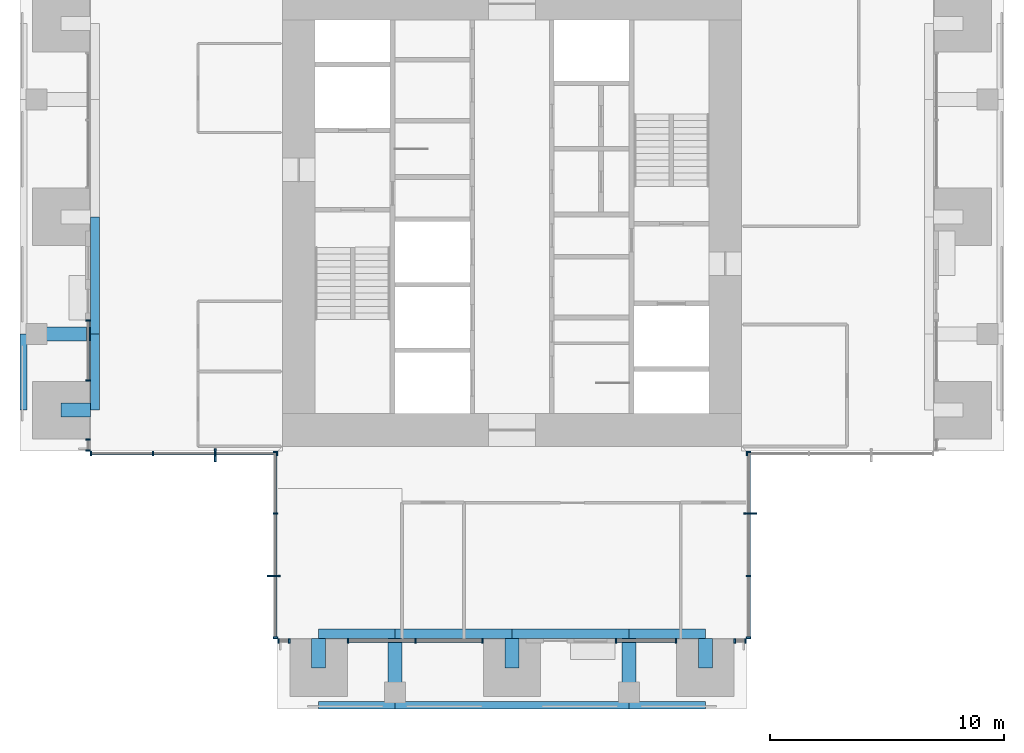
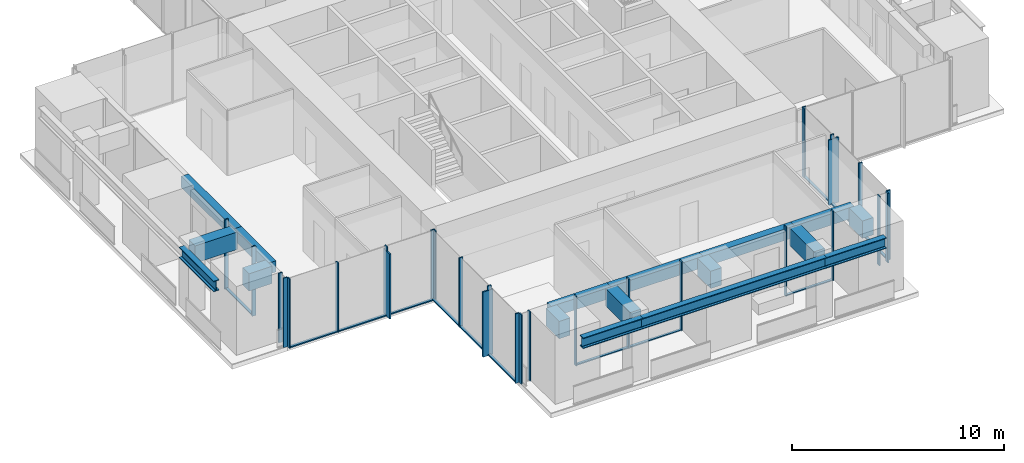
# One storey, part 2 of 17: 42 members, 17 beams, 10 elements without a shape of their own.
"""IFC4 building model written with IfcOpenShell, lengths in metres."""

from ifc_helpers import new_model, si_unit, direction, frame, origin, origin_2d, place, context, subcontext, project, spatial, rectangle, i_section, extrude, material, material_profile, profile_set, type_object, element, aggregate, save


model = new_model("IFC4")

# Units and contexts
model_context = context("Model", 3, precision=1e-05, world=origin(), true_north=direction((0.0, 1.0)))
body_context = subcontext(model_context, "Body", "Model", "MODEL_VIEW")
ifc_project = project(units=[si_unit("LENGTHUNIT", "METRE"), si_unit("AREAUNIT", "SQUARE_METRE"), si_unit("VOLUMEUNIT", "CUBIC_METRE"), si_unit("PLANEANGLEUNIT", "RADIAN"), si_unit("MASSUNIT", "GRAM", prefix="KILO")], contexts=[model_context])

# Site, building, storey
site_placement = place(None, origin())
site = spatial("IfcSite", under=ifc_project, at=site_placement, CompositionType="ELEMENT")
building_placement = place(site_placement, origin())
building = spatial("IfcBuilding", under=site, at=building_placement, Name="Svetlomir Tower", CompositionType="ELEMENT")
storey_placement = place(building_placement, frame((0.0, 0.0, 218.5)))
storey = spatial("IfcBuildingStorey", under=building, at=storey_placement, Name="L52", CompositionType="ELEMENT", Elevation=218.5)

# Curtain wall, member
ifc_material_1 = material(Name="Bronze anodised aluminium curtain wall", Category="aluminium")
curtain_wall_type = type_object("IfcCurtainWallType", Name="CURTAIN WALL CW1 TOWER OFFICE", PredefinedType="NOTDEFINED", material=ifc_material_1)
curtain_wall_1_placement = place(storey_placement, origin())
curtain_wall_1 = element("IfcCurtainWall", 1, at=curtain_wall_1_placement, inside=storey, type_object=curtain_wall_type, Name="Curtain wall CW1 L52", PredefinedType="NOTDEFINED")
ifc_material_2 = material(Name="Bronze anodised aluminium", Category="aluminium")
ifc_material_profile_1 = material_profile(ifc_material_2, rectangle(XDim=0.080078125, YDim=0.550048828125, at=origin_2d()), Name="FIN 80x550")
ifc_profile_set_1 = profile_set([ifc_material_profile_1], Name="Bronze anodised aluminium 6063-T6")
member_type_1 = type_object("IfcMemberType", Name="BRONZE FIN 80x550", PredefinedType="USERDEFINED", material=ifc_profile_set_1)
member_1_placement = place(storey_placement, frame((31.175048828125, 8.333251953125, 0.0), z_axis=(0.0, 0.0, 1.0), x_axis=(0.0, 1.0, 0.0)))
member_1 = element("IfcMember", 2, at=member_1_placement, type_object=member_type_1, Name="Bronze fin L52", ObjectType="FIN", PredefinedType="USERDEFINED", context=body_context, shape_type="SweptSolid", body=[
    extrude(rectangle(XDim=0.080078125, YDim=0.550048828125, at=origin_2d()), origin(), (0.0, 0.0, 1.0), 3.75),
])

curtain_wall_2_placement = place(storey_placement, origin())
curtain_wall_2 = element("IfcCurtainWall", 3, at=curtain_wall_2_placement, inside=storey, type_object=curtain_wall_type, Name="Curtain wall CW1 L52", PredefinedType="NOTDEFINED")
member_2_placement = place(storey_placement, frame((8.333251953125, 10.824951171875, 0.0), z_axis=(0.0, 0.0, 1.0), x_axis=(1.0, 0.0, 0.0)))
member_2 = element("IfcMember", 4, at=member_2_placement, type_object=member_type_1, Name="Bronze fin L52", ObjectType="FIN", PredefinedType="USERDEFINED", context=body_context, shape_type="SweptSolid", body=[
    extrude(rectangle(XDim=0.080078125, YDim=0.550048828125, at=origin_2d()), origin(), (0.0, 0.0, 1.0), 3.75),
])

curtain_wall_3_placement = place(storey_placement, origin())
curtain_wall_3 = element("IfcCurtainWall", 5, at=curtain_wall_3_placement, inside=storey, type_object=curtain_wall_type, Name="Curtain wall CW1 L52", PredefinedType="NOTDEFINED")
member_3_placement = place(storey_placement, frame((10.824951171875, 5.666748046875, 0.0), z_axis=(0.0, 0.0, 1.0), x_axis=(0.0, 1.0, 0.0)))
member_3 = element("IfcMember", 6, at=member_3_placement, type_object=member_type_1, Name="Bronze fin L52", ObjectType="FIN", PredefinedType="USERDEFINED", context=body_context, shape_type="SweptSolid", body=[
    extrude(rectangle(XDim=0.080078125, YDim=0.550048828125, at=origin_2d()), origin(), (0.0, 0.0, 1.0), 3.75),
])

# Curtain wall, members
curtain_wall_4_placement = place(storey_placement, origin())
curtain_wall_4 = element("IfcCurtainWall", 7, at=curtain_wall_4_placement, inside=storey, type_object=curtain_wall_type, Name="Curtain wall CW1 L52", PredefinedType="NOTDEFINED")
ifc_material_3 = material(Name="Bronze anodised aluminium", Category="aluminium")
ifc_material_profile_2 = material_profile(ifc_material_3, rectangle(XDim=0.06494140625, YDim=0.199951171875, at=origin_2d()), Name="AL 65x200")
ifc_profile_set_2 = profile_set([ifc_material_profile_2], Name="Bronze anodised aluminium 6063-T6")
member_type_2 = type_object("IfcMemberType", Name="CW1 MULLION 65x200", PredefinedType="MULLION", material=ifc_profile_set_2)
member_4_placement = place(storey_placement, frame((11.032470703125, 2.89990234375, 0.0), z_axis=(0.0, 0.0, 1.0), x_axis=(1.0, 0.0, 0.0)))
member_4 = element("IfcMember", 8, at=member_4_placement, type_object=member_type_2, Name="CW1 mullion 1", PredefinedType="MULLION", context=body_context, shape_type="SweptSolid", body=[
    extrude(rectangle(XDim=0.06494140625, YDim=0.199951171875, at=origin_2d()), origin(), (0.0, 0.0, 1.0), 4.0),
])
member_5_placement = place(storey_placement, frame((11.492431640625, 2.89990234375, 0.0), z_axis=(0.0, 0.0, 1.0), x_axis=(1.0, 0.0, 0.0)))
member_5 = element("IfcMember", 9, at=member_5_placement, type_object=member_type_2, Name="CW1 mullion 2", PredefinedType="MULLION", context=body_context, shape_type="SweptSolid", body=[
    extrude(rectangle(XDim=0.06494140625, YDim=0.199951171875, at=origin_2d()), origin(), (0.0, 0.0, 1.0), 4.0),
])
aggregate(curtain_wall_4, [member_4, member_5])

curtain_wall_5_placement = place(storey_placement, origin())
curtain_wall_5 = element("IfcCurtainWall", 10, at=curtain_wall_5_placement, inside=storey, type_object=curtain_wall_type, Name="Curtain wall CW1 L52", PredefinedType="NOTDEFINED")
member_6_placement = place(storey_placement, frame((14.007568359375, 2.89990234375, 0.0), z_axis=(0.0, 0.0, 1.0), x_axis=(1.0, 0.0, 0.0)))
member_6 = element("IfcMember", 11, at=member_6_placement, type_object=member_type_2, Name="CW1 mullion 1", PredefinedType="MULLION", context=body_context, shape_type="SweptSolid", body=[
    extrude(rectangle(XDim=0.06494140625, YDim=0.199951171875, at=origin_2d()), origin(), (0.0, 0.0, 1.0), 4.0),
])
member_7_placement = place(storey_placement, frame((16.875, 2.89990234375, 0.0), z_axis=(0.0, 0.0, 1.0), x_axis=(1.0, 0.0, 0.0)))
member_7 = element("IfcMember", 12, at=member_7_placement, type_object=member_type_2, Name="CW1 mullion 2", PredefinedType="MULLION", context=body_context, shape_type="SweptSolid", body=[
    extrude(rectangle(XDim=0.06494140625, YDim=0.199951171875, at=origin_2d()), origin(), (0.0, 0.0, 1.0), 4.0),
])
member_8_placement = place(storey_placement, frame((19.742431640625, 2.89990234375, 0.0), z_axis=(0.0, 0.0, 1.0), x_axis=(1.0, 0.0, 0.0)))
member_8 = element("IfcMember", 13, at=member_8_placement, type_object=member_type_2, Name="CW1 mullion 3", PredefinedType="MULLION", context=body_context, shape_type="SweptSolid", body=[
    extrude(rectangle(XDim=0.06494140625, YDim=0.199951171875, at=origin_2d()), origin(), (0.0, 0.0, 1.0), 4.0),
])

curtain_wall_6_placement = place(storey_placement, origin())
curtain_wall_6 = element("IfcCurtainWall", 14, at=curtain_wall_6_placement, inside=storey, type_object=curtain_wall_type, Name="Curtain wall CW1 L52", PredefinedType="NOTDEFINED")
member_9_placement = place(storey_placement, frame((25.4326171875, 2.89990234375, 0.0), z_axis=(0.0, 0.0, 1.0), x_axis=(1.0, 0.0, 0.0)))
member_9 = element("IfcMember", 15, at=member_9_placement, type_object=member_type_2, Name="CW1 mullion 1", PredefinedType="MULLION", context=body_context, shape_type="SweptSolid", body=[
    extrude(rectangle(XDim=0.06494140625, YDim=0.199951171875, at=origin_2d()), origin(), (0.0, 0.0, 1.0), 4.0),
])
member_10_placement = place(storey_placement, frame((27.992431640625, 2.89990234375, 0.0), z_axis=(0.0, 0.0, 1.0), x_axis=(1.0, 0.0, 0.0)))
member_10 = element("IfcMember", 16, at=member_10_placement, type_object=member_type_2, Name="CW1 mullion 2", PredefinedType="MULLION", context=body_context, shape_type="SweptSolid", body=[
    extrude(rectangle(XDim=0.06494140625, YDim=0.199951171875, at=origin_2d()), origin(), (0.0, 0.0, 1.0), 4.0),
])

curtain_wall_7_placement = place(storey_placement, origin())
curtain_wall_7 = element("IfcCurtainWall", 17, at=curtain_wall_7_placement, inside=storey, type_object=curtain_wall_type, Name="Curtain wall CW1 L52", PredefinedType="NOTDEFINED")
member_11_placement = place(storey_placement, frame((30.507568359375, 2.89990234375, 0.0), z_axis=(0.0, 0.0, 1.0), x_axis=(1.0, 0.0, 0.0)))
member_11 = element("IfcMember", 18, at=member_11_placement, type_object=member_type_2, Name="CW1 mullion 1", PredefinedType="MULLION", context=body_context, shape_type="SweptSolid", body=[
    extrude(rectangle(XDim=0.06494140625, YDim=0.199951171875, at=origin_2d()), origin(), (0.0, 0.0, 1.0), 4.0),
])
member_12_placement = place(storey_placement, frame((30.967529296875, 2.89990234375, 0.0), z_axis=(0.0, 0.0, 1.0), x_axis=(1.0, 0.0, 0.0)))
member_12 = element("IfcMember", 19, at=member_12_placement, type_object=member_type_2, Name="CW1 mullion 2", PredefinedType="MULLION", context=body_context, shape_type="SweptSolid", body=[
    extrude(rectangle(XDim=0.06494140625, YDim=0.199951171875, at=origin_2d()), origin(), (0.0, 0.0, 1.0), 4.0),
])
aggregate(curtain_wall_7, [member_11, member_12])

# Member
member_13_placement = place(storey_placement, frame((31.10009765625, 3.032470703125, 0.0), z_axis=(0.0, 0.0, 1.0), x_axis=(0.0, 1.0, 0.0)))
member_13 = element("IfcMember", 20, at=member_13_placement, type_object=member_type_2, Name="CW1 mullion 1", PredefinedType="MULLION", context=body_context, shape_type="SweptSolid", body=[
    extrude(rectangle(XDim=0.06494140625, YDim=0.199951171875, at=origin_2d()), origin(), (0.0, 0.0, 1.0), 4.0),
])

member_14_placement = place(storey_placement, frame((31.10009765625, 5.666748046875, 0.0), z_axis=(0.0, 0.0, 1.0), x_axis=(0.0, 1.0, 0.0)))
member_14 = element("IfcMember", 21, at=member_14_placement, type_object=member_type_2, Name="CW1 mullion 2", PredefinedType="MULLION", context=body_context, shape_type="SweptSolid", body=[
    extrude(rectangle(XDim=0.06494140625, YDim=0.199951171875, at=origin_2d()), origin(), (0.0, 0.0, 1.0), 4.0),
])

member_15_placement = place(storey_placement, frame((31.10009765625, 8.333251953125, 0.0), z_axis=(0.0, 0.0, 1.0), x_axis=(0.0, 1.0, 0.0)))
member_15 = element("IfcMember", 22, at=member_15_placement, type_object=member_type_2, Name="CW1 mullion 3", PredefinedType="MULLION", context=body_context, shape_type="SweptSolid", body=[
    extrude(rectangle(XDim=0.06494140625, YDim=0.199951171875, at=origin_2d()), origin(), (0.0, 0.0, 1.0), 4.0),
])

member_16_placement = place(storey_placement, frame((31.10009765625, 10.967529296875, 0.0), z_axis=(0.0, 0.0, 1.0), x_axis=(0.0, 1.0, 0.0)))
member_16 = element("IfcMember", 23, at=member_16_placement, type_object=member_type_2, Name="CW1 mullion 4", PredefinedType="MULLION", context=body_context, shape_type="SweptSolid", body=[
    extrude(rectangle(XDim=0.06494140625, YDim=0.199951171875, at=origin_2d()), origin(), (0.0, 0.0, 1.0), 4.0),
])

# Curtain wall, member
curtain_wall_8_placement = place(storey_placement, origin())
curtain_wall_8 = element("IfcCurtainWall", 24, at=curtain_wall_8_placement, inside=storey, type_object=curtain_wall_type, Name="Curtain wall CW1 L52", PredefinedType="NOTDEFINED")
member_17_placement = place(storey_placement, frame((31.032470703125, 10.89990234375, 0.0), z_axis=(0.0, 0.0, 1.0), x_axis=(1.0, 0.0, 0.0)))
member_17 = element("IfcMember", 25, at=member_17_placement, type_object=member_type_2, Name="CW1 mullion 1", PredefinedType="MULLION", context=body_context, shape_type="SweptSolid", body=[
    extrude(rectangle(XDim=0.06494140625, YDim=0.199951171875, at=origin_2d()), origin(), (0.0, 0.0, 1.0), 4.0),
])
aggregate(curtain_wall_8, [member_17])

# Curtain wall, members
curtain_wall_9_placement = place(storey_placement, origin())
curtain_wall_9 = element("IfcCurtainWall", 26, at=curtain_wall_9_placement, inside=storey, type_object=curtain_wall_type, Name="Curtain wall CW1 L52", PredefinedType="NOTDEFINED")
member_18_placement = place(storey_placement, frame((2.89990234375, 16.5673828125, 0.0), z_axis=(0.0, 0.0, 1.0), x_axis=(0.0, -1.0, 0.0)))
member_18 = element("IfcMember", 27, at=member_18_placement, type_object=member_type_2, Name="CW1 mullion 1", PredefinedType="MULLION", context=body_context, shape_type="SweptSolid", body=[
    extrude(rectangle(XDim=0.06494140625, YDim=0.199951171875, at=origin_2d()), origin(), (0.0, 0.0, 1.0), 4.0),
])
member_19_placement = place(storey_placement, frame((2.89990234375, 14.007568359375, 0.0), z_axis=(0.0, 0.0, 1.0), x_axis=(0.0, -1.0, 0.0)))
member_19 = element("IfcMember", 28, at=member_19_placement, type_object=member_type_2, Name="CW1 mullion 2", PredefinedType="MULLION", context=body_context, shape_type="SweptSolid", body=[
    extrude(rectangle(XDim=0.06494140625, YDim=0.199951171875, at=origin_2d()), origin(), (0.0, 0.0, 1.0), 4.0),
])

curtain_wall_10_placement = place(storey_placement, origin())
curtain_wall_10 = element("IfcCurtainWall", 29, at=curtain_wall_10_placement, inside=storey, type_object=curtain_wall_type, Name="Curtain wall CW1 L52", PredefinedType="NOTDEFINED")
member_20_placement = place(storey_placement, frame((2.89990234375, 11.492431640625, 0.0), z_axis=(0.0, 0.0, 1.0), x_axis=(0.0, -1.0, 0.0)))
member_20 = element("IfcMember", 30, at=member_20_placement, type_object=member_type_2, Name="CW1 mullion 1", PredefinedType="MULLION", context=body_context, shape_type="SweptSolid", body=[
    extrude(rectangle(XDim=0.06494140625, YDim=0.199951171875, at=origin_2d()), origin(), (0.0, 0.0, 1.0), 4.0),
])
member_21_placement = place(storey_placement, frame((2.89990234375, 11.032470703125, 0.0), z_axis=(0.0, 0.0, 1.0), x_axis=(0.0, -1.0, 0.0)))
member_21 = element("IfcMember", 31, at=member_21_placement, type_object=member_type_2, Name="CW1 mullion 2", PredefinedType="MULLION", context=body_context, shape_type="SweptSolid", body=[
    extrude(rectangle(XDim=0.06494140625, YDim=0.199951171875, at=origin_2d()), origin(), (0.0, 0.0, 1.0), 4.0),
])
aggregate(curtain_wall_10, [member_20, member_21])

# Member
member_22_placement = place(storey_placement, frame((3.032470703125, 10.89990234375, 0.0), z_axis=(0.0, 0.0, 1.0), x_axis=(1.0, 0.0, 0.0)))
member_22 = element("IfcMember", 32, at=member_22_placement, type_object=member_type_2, Name="CW1 mullion 1", PredefinedType="MULLION", context=body_context, shape_type="SweptSolid", body=[
    extrude(rectangle(XDim=0.06494140625, YDim=0.199951171875, at=origin_2d()), origin(), (0.0, 0.0, 1.0), 4.0),
])

member_23_placement = place(storey_placement, frame((5.666748046875, 10.89990234375, 0.0), z_axis=(0.0, 0.0, 1.0), x_axis=(1.0, 0.0, 0.0)))
member_23 = element("IfcMember", 33, at=member_23_placement, type_object=member_type_2, Name="CW1 mullion 2", PredefinedType="MULLION", context=body_context, shape_type="SweptSolid", body=[
    extrude(rectangle(XDim=0.06494140625, YDim=0.199951171875, at=origin_2d()), origin(), (0.0, 0.0, 1.0), 4.0),
])

member_24_placement = place(storey_placement, frame((8.333251953125, 10.89990234375, 0.0), z_axis=(0.0, 0.0, 1.0), x_axis=(1.0, 0.0, 0.0)))
member_24 = element("IfcMember", 34, at=member_24_placement, type_object=member_type_2, Name="CW1 mullion 3", PredefinedType="MULLION", context=body_context, shape_type="SweptSolid", body=[
    extrude(rectangle(XDim=0.06494140625, YDim=0.199951171875, at=origin_2d()), origin(), (0.0, 0.0, 1.0), 4.0),
])

member_25_placement = place(storey_placement, frame((10.967529296875, 10.89990234375, 0.0), z_axis=(0.0, 0.0, 1.0), x_axis=(1.0, 0.0, 0.0)))
member_25 = element("IfcMember", 35, at=member_25_placement, type_object=member_type_2, Name="CW1 mullion 4", PredefinedType="MULLION", context=body_context, shape_type="SweptSolid", body=[
    extrude(rectangle(XDim=0.06494140625, YDim=0.199951171875, at=origin_2d()), origin(), (0.0, 0.0, 1.0), 4.0),
])

member_26_placement = place(storey_placement, frame((10.89990234375, 10.967529296875, 0.0), z_axis=(0.0, 0.0, 1.0), x_axis=(0.0, -1.0, 0.0)))
member_26 = element("IfcMember", 36, at=member_26_placement, type_object=member_type_2, Name="CW1 mullion 1", PredefinedType="MULLION", context=body_context, shape_type="SweptSolid", body=[
    extrude(rectangle(XDim=0.06494140625, YDim=0.199951171875, at=origin_2d()), origin(), (0.0, 0.0, 1.0), 4.0),
])

member_27_placement = place(storey_placement, frame((10.89990234375, 8.333251953125, 0.0), z_axis=(0.0, 0.0, 1.0), x_axis=(0.0, -1.0, 0.0)))
member_27 = element("IfcMember", 37, at=member_27_placement, type_object=member_type_2, Name="CW1 mullion 2", PredefinedType="MULLION", context=body_context, shape_type="SweptSolid", body=[
    extrude(rectangle(XDim=0.06494140625, YDim=0.199951171875, at=origin_2d()), origin(), (0.0, 0.0, 1.0), 4.0),
])

member_28_placement = place(storey_placement, frame((10.89990234375, 5.666748046875, 0.0), z_axis=(0.0, 0.0, 1.0), x_axis=(0.0, -1.0, 0.0)))
member_28 = element("IfcMember", 38, at=member_28_placement, type_object=member_type_2, Name="CW1 mullion 3", PredefinedType="MULLION", context=body_context, shape_type="SweptSolid", body=[
    extrude(rectangle(XDim=0.06494140625, YDim=0.199951171875, at=origin_2d()), origin(), (0.0, 0.0, 1.0), 4.0),
])

member_29_placement = place(storey_placement, frame((10.89990234375, 3.032470703125, 0.0), z_axis=(0.0, 0.0, 1.0), x_axis=(0.0, -1.0, 0.0)))
member_29 = element("IfcMember", 39, at=member_29_placement, type_object=member_type_2, Name="CW1 mullion 4", PredefinedType="MULLION", context=body_context, shape_type="SweptSolid", body=[
    extrude(rectangle(XDim=0.06494140625, YDim=0.199951171875, at=origin_2d()), origin(), (0.0, 0.0, 1.0), 4.0),
])

ifc_material_4 = material(Name="Bronze anodised aluminium", Category="aluminium")
ifc_material_profile_3 = material_profile(ifc_material_4, rectangle(XDim=0.139892578125, YDim=0.06494140625, at=origin_2d()), Name="AL 140x65")
ifc_profile_set_3 = profile_set([ifc_material_profile_3], Name="Bronze anodised aluminium 6063-T6")
member_type_3 = type_object("IfcMemberType", Name="CW1 TRANSOM 65x140", PredefinedType="USERDEFINED", material=ifc_profile_set_3)
member_30_placement = place(storey_placement, frame((14.0400390625, 2.89990234375, 0.032470703125), z_axis=(1.0, 0.0, 0.0), x_axis=(0.0, 1.0, 0.0)))
member_30 = element("IfcMember", 40, at=member_30_placement, type_object=member_type_3, Name="CW1 transom 1.1", ObjectType="TRANSOM", PredefinedType="USERDEFINED", context=body_context, shape_type="SweptSolid", body=[
    extrude(rectangle(XDim=0.139892578125, YDim=0.06494140625, at=origin_2d()), origin(), (0.0, 0.0, 1.0), 2.802490234375),
])

member_31_placement = place(storey_placement, frame((16.907470703125, 2.89990234375, 0.032470703125), z_axis=(1.0, 0.0, 0.0), x_axis=(0.0, 1.0, 0.0)))
member_31 = element("IfcMember", 41, at=member_31_placement, type_object=member_type_3, Name="CW1 transom 2.1", ObjectType="TRANSOM", PredefinedType="USERDEFINED", context=body_context, shape_type="SweptSolid", body=[
    extrude(rectangle(XDim=0.139892578125, YDim=0.06494140625, at=origin_2d()), origin(), (0.0, 0.0, 1.0), 2.802490234375),
])

aggregate(curtain_wall_5, [member_6, member_7, member_8, member_30, member_31])

member_32_placement = place(storey_placement, frame((25.465087890625, 2.89990234375, 0.032470703125), z_axis=(1.0, 0.0, 0.0), x_axis=(0.0, 1.0, 0.0)))
member_32 = element("IfcMember", 42, at=member_32_placement, type_object=member_type_3, Name="CW1 transom 1.1", ObjectType="TRANSOM", PredefinedType="USERDEFINED", context=body_context, shape_type="SweptSolid", body=[
    extrude(rectangle(XDim=0.139892578125, YDim=0.06494140625, at=origin_2d()), origin(), (0.0, 0.0, 1.0), 2.494873046875),
])

aggregate(curtain_wall_6, [member_9, member_10, member_32])

member_33_placement = place(storey_placement, frame((31.10009765625, 3.06494140625, 0.032470703125), z_axis=(0.0, 1.0, 0.0), x_axis=(-1.0, 0.0, 0.0)))
member_33 = element("IfcMember", 43, at=member_33_placement, type_object=member_type_3, Name="CW1 transom 1.1", ObjectType="TRANSOM", PredefinedType="USERDEFINED", context=body_context, shape_type="SweptSolid", body=[
    extrude(rectangle(XDim=0.139892578125, YDim=0.06494140625, at=origin_2d()), origin(), (0.0, 0.0, 1.0), 2.5693359375),
])

member_34_placement = place(storey_placement, frame((31.10009765625, 5.69921875, 0.032470703125), z_axis=(0.0, 1.0, 0.0), x_axis=(-1.0, 0.0, 0.0)))
member_34 = element("IfcMember", 44, at=member_34_placement, type_object=member_type_3, Name="CW1 transom 2.1", ObjectType="TRANSOM", PredefinedType="USERDEFINED", context=body_context, shape_type="SweptSolid", body=[
    extrude(rectangle(XDim=0.139892578125, YDim=0.06494140625, at=origin_2d()), origin(), (0.0, 0.0, 1.0), 2.6015625),
])

member_35_placement = place(storey_placement, frame((31.10009765625, 8.36572265625, 0.032470703125), z_axis=(0.0, 1.0, 0.0), x_axis=(-1.0, 0.0, 0.0)))
member_35 = element("IfcMember", 45, at=member_35_placement, type_object=member_type_3, Name="CW1 transom 3.1", ObjectType="TRANSOM", PredefinedType="USERDEFINED", context=body_context, shape_type="SweptSolid", body=[
    extrude(rectangle(XDim=0.139892578125, YDim=0.06494140625, at=origin_2d()), origin(), (0.0, 0.0, 1.0), 2.5693359375),
])

aggregate(curtain_wall_1, [member_13, member_14, member_15, member_16, member_33, member_34, member_35, member_1])

member_36_placement = place(storey_placement, frame((2.89990234375, 16.534912109375, 0.032470703125), z_axis=(0.0, -1.0, 0.0), x_axis=(1.0, 0.0, 0.0)))
member_36 = element("IfcMember", 46, at=member_36_placement, type_object=member_type_3, Name="CW1 transom 1.1", ObjectType="TRANSOM", PredefinedType="USERDEFINED", context=body_context, shape_type="SweptSolid", body=[
    extrude(rectangle(XDim=0.139892578125, YDim=0.06494140625, at=origin_2d()), origin(), (0.0, 0.0, 1.0), 2.494873046875),
])

aggregate(curtain_wall_9, [member_18, member_19, member_36])

member_37_placement = place(storey_placement, frame((3.06494140625, 10.89990234375, 0.032470703125), z_axis=(1.0, 0.0, 0.0), x_axis=(0.0, 1.0, 0.0)))
member_37 = element("IfcMember", 47, at=member_37_placement, type_object=member_type_3, Name="CW1 transom 1.1", ObjectType="TRANSOM", PredefinedType="USERDEFINED", context=body_context, shape_type="SweptSolid", body=[
    extrude(rectangle(XDim=0.139892578125, YDim=0.06494140625, at=origin_2d()), origin(), (0.0, 0.0, 1.0), 2.5693359375),
])

member_38_placement = place(storey_placement, frame((5.69921875, 10.89990234375, 0.032470703125), z_axis=(1.0, 0.0, 0.0), x_axis=(0.0, 1.0, 0.0)))
member_38 = element("IfcMember", 48, at=member_38_placement, type_object=member_type_3, Name="CW1 transom 2.1", ObjectType="TRANSOM", PredefinedType="USERDEFINED", context=body_context, shape_type="SweptSolid", body=[
    extrude(rectangle(XDim=0.139892578125, YDim=0.06494140625, at=origin_2d()), origin(), (0.0, 0.0, 1.0), 2.6015625),
])

member_39_placement = place(storey_placement, frame((8.36572265625, 10.89990234375, 0.032470703125), z_axis=(1.0, 0.0, 0.0), x_axis=(0.0, 1.0, 0.0)))
member_39 = element("IfcMember", 49, at=member_39_placement, type_object=member_type_3, Name="CW1 transom 3.1", ObjectType="TRANSOM", PredefinedType="USERDEFINED", context=body_context, shape_type="SweptSolid", body=[
    extrude(rectangle(XDim=0.139892578125, YDim=0.06494140625, at=origin_2d()), origin(), (0.0, 0.0, 1.0), 2.5693359375),
])

aggregate(curtain_wall_2, [member_22, member_23, member_24, member_25, member_37, member_38, member_39, member_2])

member_40_placement = place(storey_placement, frame((10.89990234375, 10.93505859375, 0.032470703125), z_axis=(0.0, -1.0, 0.0), x_axis=(1.0, 0.0, 0.0)))
member_40 = element("IfcMember", 50, at=member_40_placement, type_object=member_type_3, Name="CW1 transom 1.1", ObjectType="TRANSOM", PredefinedType="USERDEFINED", context=body_context, shape_type="SweptSolid", body=[
    extrude(rectangle(XDim=0.139892578125, YDim=0.06494140625, at=origin_2d()), origin(), (0.0, 0.0, 1.0), 2.5693359375),
])

member_41_placement = place(storey_placement, frame((10.89990234375, 8.30078125, 0.032470703125), z_axis=(0.0, -1.0, 0.0), x_axis=(1.0, 0.0, 0.0)))
member_41 = element("IfcMember", 51, at=member_41_placement, type_object=member_type_3, Name="CW1 transom 2.1", ObjectType="TRANSOM", PredefinedType="USERDEFINED", context=body_context, shape_type="SweptSolid", body=[
    extrude(rectangle(XDim=0.139892578125, YDim=0.06494140625, at=origin_2d()), origin(), (0.0, 0.0, 1.0), 2.6015625),
])

member_42_placement = place(storey_placement, frame((10.89990234375, 5.63427734375, 0.032470703125), z_axis=(0.0, -1.0, 0.0), x_axis=(1.0, 0.0, 0.0)))
member_42 = element("IfcMember", 52, at=member_42_placement, type_object=member_type_3, Name="CW1 transom 3.1", ObjectType="TRANSOM", PredefinedType="USERDEFINED", context=body_context, shape_type="SweptSolid", body=[
    extrude(rectangle(XDim=0.139892578125, YDim=0.06494140625, at=origin_2d()), origin(), (0.0, 0.0, 1.0), 2.5693359375),
])

aggregate(curtain_wall_3, [member_26, member_27, member_28, member_29, member_40, member_41, member_42, member_3])

# Beams
ifc_material_5 = material(Name="Steel S355", Category="steel")
ifc_material_profile_4 = material_profile(ifc_material_5, i_section(OverallWidth=0.304931640625, OverallDepth=0.6201171875, WebThickness=0.02099609375, FlangeThickness=0.0400390625, FilletRadius=0.027099609375, at=origin_2d()), Name="HEM 600")
ifc_profile_set_4 = profile_set([ifc_material_profile_4], Name="Steel S355")
beam_type_1 = type_object("IfcBeamType", Name="EDGE BEAM HEM 600", PredefinedType="SPANDREL", material=ifc_profile_set_4)
for number, where, z_axis, x_axis, name in (
    (53, (12.75, 0.152587890625, 3.43994140625), (1.0, 0.0, 0.0), (0.0, 1.0, 0.0), "Edge beam 11/0 to 16/0 under L53"),
    (54, (0.152587890625, 12.75, 3.43994140625), (0.0, 1.0, 0.0), (-1.0, 0.0, 0.0), "Edge beam 0/11 to 0/16 under L53"),
):
    element("IfcBeam", number, at=place(storey_placement, frame(where, z_axis=z_axis, x_axis=x_axis)), inside=storey, type_object=beam_type_1, Name=name, PredefinedType="SPANDREL", context=body_context, shape_type="SweptSolid", body=[
        extrude(i_section(OverallWidth=0.304931640625, OverallDepth=0.6201171875, WebThickness=0.02099609375, FlangeThickness=0.0400390625, FilletRadius=0.027099609375, at=origin_2d()), origin(), (0.0, 0.0, 1.0), 3.25),
    ])
beam_1_placement = place(storey_placement, frame((16.0, 0.152587890625, 3.43994140625), z_axis=(1.0, 0.0, 0.0), x_axis=(0.0, 1.0, 0.0)))
element("IfcBeam", 55, at=beam_1_placement, inside=storey, type_object=beam_type_1, Name="Edge beam 16/0 to 26/0 under L53", PredefinedType="SPANDREL", context=body_context, shape_type="SweptSolid", body=[
    extrude(i_section(OverallWidth=0.304931640625, OverallDepth=0.6201171875, WebThickness=0.02099609375, FlangeThickness=0.0400390625, FilletRadius=0.027099609375, at=origin_2d()), origin(), (0.0, 0.0, 1.0), 10.0),
])
beam_2_placement = place(storey_placement, frame((26.0, 0.152587890625, 3.43994140625), z_axis=(1.0, 0.0, 0.0), x_axis=(0.0, 1.0, 0.0)))
element("IfcBeam", 56, at=beam_2_placement, inside=storey, type_object=beam_type_1, Name="Edge beam 26/0 to 31/0 under L53", PredefinedType="SPANDREL", context=body_context, shape_type="SweptSolid", body=[
    extrude(i_section(OverallWidth=0.304931640625, OverallDepth=0.6201171875, WebThickness=0.02099609375, FlangeThickness=0.0400390625, FilletRadius=0.027099609375, at=origin_2d()), origin(), (0.0, 0.0, 1.0), 3.25),
])
ifc_material_6 = material(Name="Concrete C60/75", Category="concrete")
ifc_material_profile_5 = material_profile(ifc_material_6, rectangle(XDim=0.39990234375, YDim=0.64990234375, at=origin_2d()), Name="RC 400x650")
ifc_profile_set_5 = profile_set([ifc_material_profile_5], Name="Concrete C60/75")
beam_type_2 = type_object("IfcBeamType", Name="FACADE EDGE BEAM RC 400x650", PredefinedType="BEAM", material=ifc_profile_set_5)
beam_3_placement = place(storey_placement, frame((12.75, 3.199951171875, 3.425048828125), z_axis=(1.0, 0.0, 0.0), x_axis=(0.0, 1.0, 0.0)))
element("IfcBeam", 57, at=beam_3_placement, inside=storey, type_object=beam_type_2, Name="Facade edge beam S 11 to 16 under L53", PredefinedType="BEAM", context=body_context, shape_type="SweptSolid", body=[
    extrude(rectangle(XDim=0.39990234375, YDim=0.64990234375, at=origin_2d()), origin(), (0.0, 0.0, 1.0), 3.25),
])
for number, where, z_axis, x_axis, name in (
    (58, (16.0, 3.199951171875, 3.425048828125), (1.0, 0.0, 0.0), (0.0, 1.0, 0.0), "Facade edge beam S 16 to 21 under L53"),
    (59, (21.0, 3.199951171875, 3.425048828125), (1.0, 0.0, 0.0), (0.0, 1.0, 0.0), "Facade edge beam S 21 to 26 under L53"),
):
    element("IfcBeam", number, at=place(storey_placement, frame(where, z_axis=z_axis, x_axis=x_axis)), inside=storey, type_object=beam_type_2, Name=name, PredefinedType="BEAM", context=body_context, shape_type="SweptSolid", body=[
        extrude(rectangle(XDim=0.39990234375, YDim=0.64990234375, at=origin_2d()), origin(), (0.0, 0.0, 1.0), 5.0),
    ])
for number, where, z_axis, x_axis, name in (
    (60, (26.0, 3.199951171875, 3.425048828125), (1.0, 0.0, 0.0), (0.0, 1.0, 0.0), "Facade edge beam S 26 to 31 under L53"),
    (61, (3.199951171875, 12.75, 3.425048828125), (0.0, 1.0, 0.0), (-1.0, 0.0, 0.0), "Facade edge beam W 11 to 16 under L53"),
):
    element("IfcBeam", number, at=place(storey_placement, frame(where, z_axis=z_axis, x_axis=x_axis)), inside=storey, type_object=beam_type_2, Name=name, PredefinedType="BEAM", context=body_context, shape_type="SweptSolid", body=[
        extrude(rectangle(XDim=0.39990234375, YDim=0.64990234375, at=origin_2d()), origin(), (0.0, 0.0, 1.0), 3.25),
    ])
beam_4_placement = place(storey_placement, frame((3.199951171875, 16.0, 3.425048828125), z_axis=(0.0, 1.0, 0.0), x_axis=(-1.0, 0.0, 0.0)))
element("IfcBeam", 62, at=beam_4_placement, inside=storey, type_object=beam_type_2, Name="Facade edge beam W 16 to 21 under L53", PredefinedType="BEAM", context=body_context, shape_type="SweptSolid", body=[
    extrude(rectangle(XDim=0.39990234375, YDim=0.64990234375, at=origin_2d()), origin(), (0.0, 0.0, 1.0), 5.0),
])
ifc_material_7 = material(Name="Concrete C60/75", Category="concrete")
ifc_material_profile_6 = material_profile(ifc_material_7, rectangle(XDim=0.60009765625, YDim=1.0, at=origin_2d()), Name="RC 600x1000")
ifc_profile_set_6 = profile_set([ifc_material_profile_6], Name="Concrete C60/75")
beam_type_3 = type_object("IfcBeamType", Name="LOGGIA LINK BEAM RC 600x1000", PredefinedType="BEAM", material=ifc_profile_set_6)
beam_5_placement = place(storey_placement, frame((12.75, 1.75, 3.25), z_axis=(0.0, 1.0, 0.0), x_axis=(-1.0, 0.0, 0.0)))
element("IfcBeam", 63, at=beam_5_placement, inside=storey, type_object=beam_type_3, Name="Loggia link beam S 11 under L53", PredefinedType="BEAM", context=body_context, shape_type="SweptSolid", body=[
    extrude(rectangle(XDim=0.60009765625, YDim=1.0, at=origin_2d()), origin(), (0.0, 0.0, 1.0), 1.25),
])
beam_6_placement = place(storey_placement, frame((16.0, 0.699951171875, 3.25), z_axis=(0.0, 1.0, 0.0), x_axis=(-1.0, 0.0, 0.0)))
element("IfcBeam", 64, at=beam_6_placement, inside=storey, type_object=beam_type_3, Name="Loggia link beam S 16 under L53", PredefinedType="BEAM", context=body_context, shape_type="SweptSolid", body=[
    extrude(rectangle(XDim=0.60009765625, YDim=1.0, at=origin_2d()), origin(), (0.0, 0.0, 1.0), 2.300048828125),
])
beam_7_placement = place(storey_placement, frame((21.0, 1.75, 3.25), z_axis=(0.0, 1.0, 0.0), x_axis=(-1.0, 0.0, 0.0)))
element("IfcBeam", 65, at=beam_7_placement, inside=storey, type_object=beam_type_3, Name="Loggia link beam S 21 under L53", PredefinedType="BEAM", context=body_context, shape_type="SweptSolid", body=[
    extrude(rectangle(XDim=0.60009765625, YDim=1.0, at=origin_2d()), origin(), (0.0, 0.0, 1.0), 1.25),
])
beam_8_placement = place(storey_placement, frame((26.0, 0.699951171875, 3.25), z_axis=(0.0, 1.0, 0.0), x_axis=(-1.0, 0.0, 0.0)))
element("IfcBeam", 66, at=beam_8_placement, inside=storey, type_object=beam_type_3, Name="Loggia link beam S 26 under L53", PredefinedType="BEAM", context=body_context, shape_type="SweptSolid", body=[
    extrude(rectangle(XDim=0.60009765625, YDim=1.0, at=origin_2d()), origin(), (0.0, 0.0, 1.0), 2.300048828125),
])
for number, where, z_axis, x_axis, name in (
    (67, (29.25, 1.75, 3.25), (0.0, 1.0, 0.0), (-1.0, 0.0, 0.0), "Loggia link beam S 31 under L53"),
    (68, (1.75, 12.75, 3.25), (1.0, 0.0, 0.0), (0.0, 1.0, 0.0), "Loggia link beam W 11 under L53"),
):
    element("IfcBeam", number, at=place(storey_placement, frame(where, z_axis=z_axis, x_axis=x_axis)), inside=storey, type_object=beam_type_3, Name=name, PredefinedType="BEAM", context=body_context, shape_type="SweptSolid", body=[
        extrude(rectangle(XDim=0.60009765625, YDim=1.0, at=origin_2d()), origin(), (0.0, 0.0, 1.0), 1.25),
    ])
beam_9_placement = place(storey_placement, frame((0.699951171875, 16.0, 3.25), z_axis=(1.0, 0.0, 0.0), x_axis=(0.0, 1.0, 0.0)))
element("IfcBeam", 69, at=beam_9_placement, inside=storey, type_object=beam_type_3, Name="Loggia link beam W 16 under L53", PredefinedType="BEAM", context=body_context, shape_type="SweptSolid", body=[
    extrude(rectangle(XDim=0.60009765625, YDim=1.0, at=origin_2d()), origin(), (0.0, 0.0, 1.0), 2.300048828125),
])

save(model, "model.ifc")
